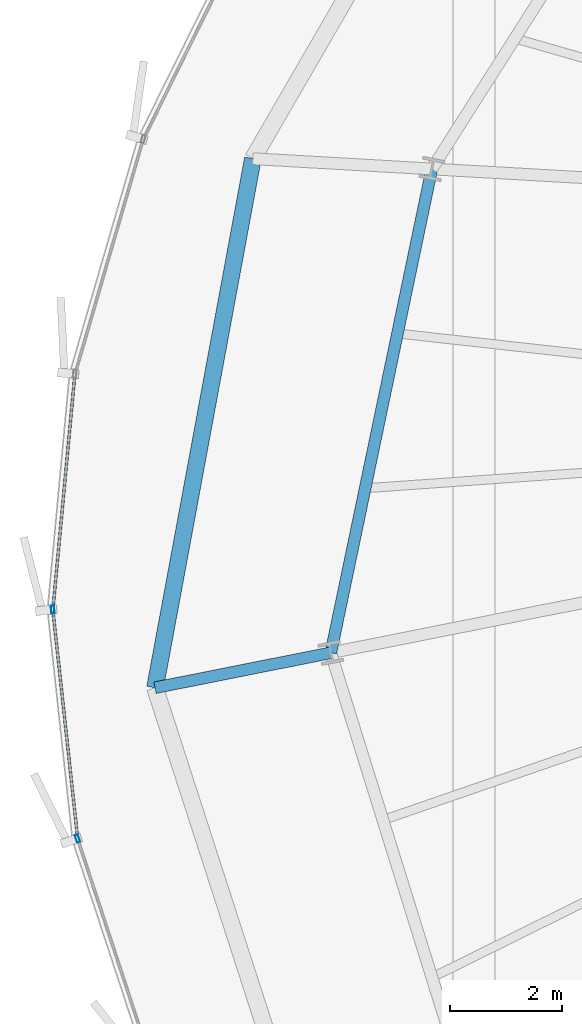
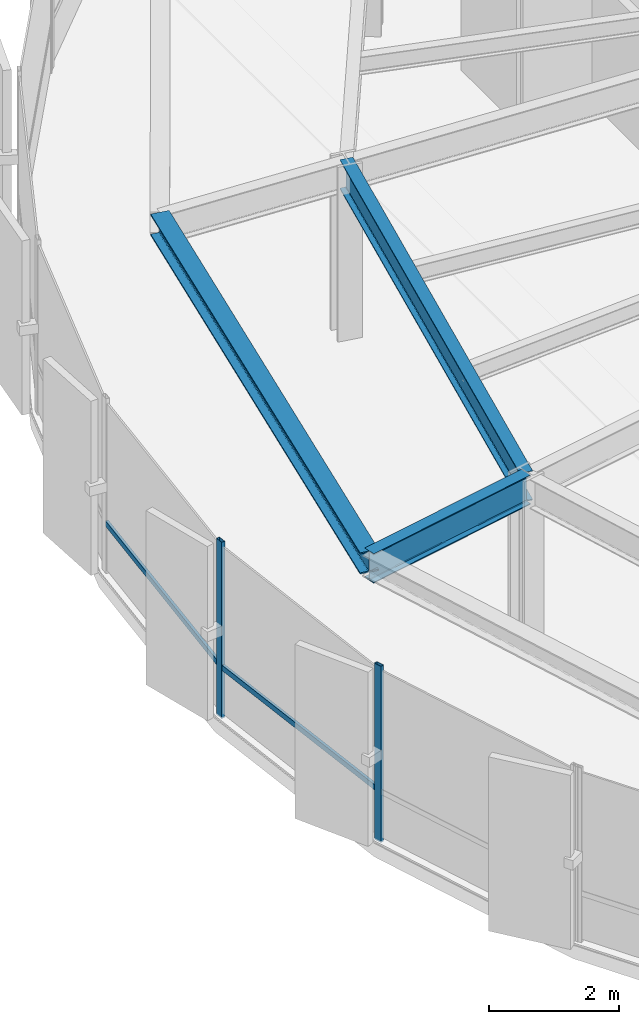
# One storey, part 8 of 37: 4 members, 3 beams, 1 element without a shape of its own.
"""IFC4 building model written with IfcOpenShell, lengths in metres."""

from ifc_helpers import new_model, si_unit, direction, frame, origin, origin_2d, place, context, subcontext, project, spatial, hollow_rectangle, i_section, extrude, source, transform, mapped, material, layer, layer_set, material_profile, profile_set, type_object, element, aggregate, save


model = new_model("IFC4")

# Units and contexts
model_context = context("Model", 3, precision=1e-05, world=origin(), true_north=direction((0.0, 1.0)))
body_context = subcontext(model_context, "Body", "Model", "MODEL_VIEW")
ifc_project = project(units=[si_unit("LENGTHUNIT", "METRE"), si_unit("AREAUNIT", "SQUARE_METRE"), si_unit("VOLUMEUNIT", "CUBIC_METRE"), si_unit("PLANEANGLEUNIT", "RADIAN"), si_unit("MASSUNIT", "GRAM", prefix="KILO"), si_unit("THERMODYNAMICTEMPERATUREUNIT", "KELVIN")], contexts=[model_context])

# Site, building, storey
site_placement = place(None, origin())
site = spatial("IfcSite", under=ifc_project, at=site_placement, CompositionType="ELEMENT")
building_placement = place(site_placement, origin())
building = spatial("IfcBuilding", under=site, at=building_placement, Name="Kethvar Cultural Tower", CompositionType="ELEMENT")
storey_placement = place(building_placement, frame((0.0, 0.0, 132.35009765625)))
storey = spatial("IfcBuildingStorey", under=building, at=storey_placement, Name="L33", CompositionType="ELEMENT", Elevation=132.35009765625)

# Beams
ifc_material_1 = material(Name="Steel S355J2", Category="steel")
ifc_material_profile_1 = material_profile(ifc_material_1, i_section(OverallWidth=0.2099609375, OverallDepth=0.550048828125, WebThickness=0.010986328125, FlangeThickness=0.01708984375, FilletRadius=0.02392578125, at=origin_2d()), Name="Steel S355J2 — IPE550")
ifc_profile_set_1 = profile_set([ifc_material_profile_1], Name="Steel S355J2 — IPE550")
beam_type_1 = type_object("IfcBeamType", Name="BM-IPE550", PredefinedType="BEAM", material=ifc_profile_set_1)
shared_shape_1 = source(origin(), body_context, "Body", "SweptSolid", [
    extrude(i_section(OverallWidth=0.2099609375, OverallDepth=0.550048828125, WebThickness=0.010986328125, FlangeThickness=0.01708984375, FilletRadius=0.02392578125, at=origin_2d()), origin(), (0.0, 0.0, 1.0), 3.199951171875),
])
beam_1_placement = place(storey_placement, frame((24.185302734375, 23.3017578125, 3.02294921875), z_axis=(-0.980785550224, -0.195088965533, 0.0), x_axis=(0.195088965533, -0.980785550224, 0.0)))
element("IfcBeam", 1, at=beam_1_placement, inside=storey, type_object=beam_type_1, Name="L33 Perimeter Cantilever Beam RC-09", PredefinedType="BEAM", context=body_context, shape_type="MappedRepresentation", body=[
    mapped(shared_shape_1, transform((0.0, 0.0, 0.0), scale=1.0)),
])
shared_shape_2 = source(origin(), body_context, "Body", "SweptSolid", [
    extrude(i_section(OverallWidth=0.2099609375, OverallDepth=0.550048828125, WebThickness=0.010986328125, FlangeThickness=0.01708984375, FilletRadius=0.02392578125, at=origin_2d()), origin(), (0.0, 0.0, 1.0), 8.82421875),
])
beam_2_placement = place(storey_placement, frame((25.988525390625, 31.939697265625, 3.02294921875), z_axis=(-0.204350879122, -0.978897705688, 0.0), x_axis=(0.978897705688, -0.204350879122, 0.0)))
element("IfcBeam", 2, at=beam_2_placement, inside=storey, type_object=beam_type_1, Name="L33 Column Ring Tie Beam CR-08", PredefinedType="BEAM", context=body_context, shape_type="MappedRepresentation", body=[
    mapped(shared_shape_2, transform((0.0, 0.0, 0.0), scale=1.0)),
])
ifc_material_profile_2 = material_profile(ifc_material_1, i_section(OverallWidth=0.300048828125, OverallDepth=0.39990234375, WebThickness=0.013427734375, FlangeThickness=0.02392578125, FilletRadius=0.027099609375, at=origin_2d()), Name="Steel S355J2 — HEB400")
ifc_profile_set_2 = profile_set([ifc_material_profile_2], Name="Steel S355J2 — HEB400")
beam_type_2 = type_object("IfcBeamType", Name="BM-SP400", PredefinedType="SPANDREL", material=ifc_profile_set_2)
shared_shape_3 = source(origin(), body_context, "Body", "SweptSolid", [
    extrude(i_section(OverallWidth=0.300048828125, OverallDepth=0.39990234375, WebThickness=0.013427734375, FlangeThickness=0.02392578125, FilletRadius=0.027099609375, at=origin_2d()), origin(), (0.0, 0.0, 1.0), 9.605712890625),
])
beam_3_placement = place(storey_placement, frame((22.793701171875, 32.123046875, 3.097900390625), z_axis=(-0.1818526217, -0.983325797476, 0.0), x_axis=(0.983325797476, -0.1818526217, 0.0)))
element("IfcBeam", 3, at=beam_3_placement, inside=storey, type_object=beam_type_2, Name="L33 Perimeter Spandrel Beam SP-08", PredefinedType="SPANDREL", context=body_context, shape_type="MappedRepresentation", body=[
    mapped(shared_shape_3, transform((0.0, 0.0, 0.0), scale=1.0)),
])

# Curtain wall, members
ifc_material_2 = material(Name="Aluminium 6063-T6", Category="aluminium")
ifc_layer = layer(ifc_material_2, 0.179931640625, Name="Aluminium 6063-T6", Category="aluminium")
ifc_layer_set = layer_set([ifc_layer], Name="Aluminium 6063-T6 (180 mm)")
curtain_wall_type = type_object("IfcCurtainWallType", Name="CW-SYS-04-Z34", PredefinedType="NOTDEFINED", material=ifc_layer_set)
curtain_wall_placement = place(storey_placement, origin())
curtain_wall = element("IfcCurtainWall", 4, at=curtain_wall_placement, inside=storey, type_object=curtain_wall_type, Name="L33 Curtain Wall Run 03", PredefinedType="NOTDEFINED")
ifc_material_profile_3 = material_profile(ifc_material_2, hollow_rectangle(XDim=0.06005859375, YDim=0.139892578125, WallThickness=0.0048828125, at=origin_2d()), Name="Aluminium 6063-T6 — RHS140x60x5")
ifc_profile_set_3 = profile_set([ifc_material_profile_3], Name="Aluminium 6063-T6 — RHS140x60x5")
member_type_1 = type_object("IfcMemberType", Name="CW-SYS-04-Z34-MUL", PredefinedType="MULLION", material=ifc_profile_set_3)
shared_shape_4 = source(origin(), body_context, "Body", "SweptSolid", [
    extrude(hollow_rectangle(XDim=0.06005859375, YDim=0.139892578125, WallThickness=0.0048828125, at=origin_2d()), origin(), (0.0, 0.0, 1.0), 3.2998046875),
])
member_1_placement = place(storey_placement, frame((19.22216796875, 24.0751953125, 0.0), z_axis=(0.0, 0.0, 1.0), x_axis=(0.994150963972, 0.107999355706, 0.0)))
member_1 = element("IfcMember", 5, at=member_1_placement, type_object=member_type_1, Name="CW-L33-R03 Mullion 5", PredefinedType="MULLION", context=body_context, shape_type="MappedRepresentation", body=[
    mapped(shared_shape_4, transform((0.0, 0.0, 0.0), scale=1.0)),
])
member_2_placement = place(storey_placement, frame((19.6640625, 19.984619140625, 0.0), z_axis=(0.0, 0.0, 1.0), x_axis=(0.949922978351, 0.312484135919, 0.0)))
member_2 = element("IfcMember", 6, at=member_2_placement, type_object=member_type_1, Name="CW-L33-R03 Mullion 6", PredefinedType="MULLION", context=body_context, shape_type="MappedRepresentation", body=[
    mapped(shared_shape_4, transform((0.0, 0.0, 0.0), scale=1.0)),
])
ifc_material_profile_4 = material_profile(ifc_material_2, hollow_rectangle(XDim=0.050048828125, YDim=0.10009765625, WallThickness=0.00390625, at=origin_2d()), Name="Aluminium 6063-T6 — RHS100x50x4")
ifc_profile_set_4 = profile_set([ifc_material_profile_4], Name="Aluminium 6063-T6 — RHS100x50x4")
member_type_2 = type_object("IfcMemberType", Name="CW-SYS-04-Z34-TRN", PredefinedType="USERDEFINED", material=ifc_profile_set_4)
shared_shape_5 = source(origin(), body_context, "Body", "SweptSolid", [
    extrude(hollow_rectangle(XDim=0.050048828125, YDim=0.10009765625, WallThickness=0.00390625, at=origin_2d()), origin(), (0.0, 0.0, 1.0), 4.158447265625),
])
member_3_placement = place(storey_placement, frame((19.61279296875, 28.236572265625, 0.949951171875), z_axis=(-0.092938764159, -0.995671826515, 0.0), x_axis=(0.995671826515, -0.092938764159, 0.0)))
member_3 = element("IfcMember", 7, at=member_3_placement, type_object=member_type_2, Name="CW-L33-R03 Transom 4", ObjectType="TRANSOM", PredefinedType="USERDEFINED", context=body_context, shape_type="MappedRepresentation", body=[
    mapped(shared_shape_5, transform((0.0, 0.0, 0.0), scale=1.0)),
])
shared_shape_6 = source(origin(), body_context, "Body", "SweptSolid", [
    extrude(hollow_rectangle(XDim=0.050048828125, YDim=0.10009765625, WallThickness=0.00390625, at=origin_2d()), origin(), (0.0, 0.0, 1.0), 4.05078125),
])
member_4_placement = place(storey_placement, frame((19.226806640625, 24.0322265625, 0.949951171875), z_axis=(0.108003499289, -0.994150513826, 0.0), x_axis=(0.994150513826, 0.108003499289, 0.0)))
member_4 = element("IfcMember", 8, at=member_4_placement, type_object=member_type_2, Name="CW-L33-R03 Transom 5", ObjectType="TRANSOM", PredefinedType="USERDEFINED", context=body_context, shape_type="MappedRepresentation", body=[
    mapped(shared_shape_6, transform((0.0, 0.0, 0.0), scale=1.0)),
])
aggregate(curtain_wall, [member_1, member_2, member_3, member_4])

save(model, "model.ifc")
